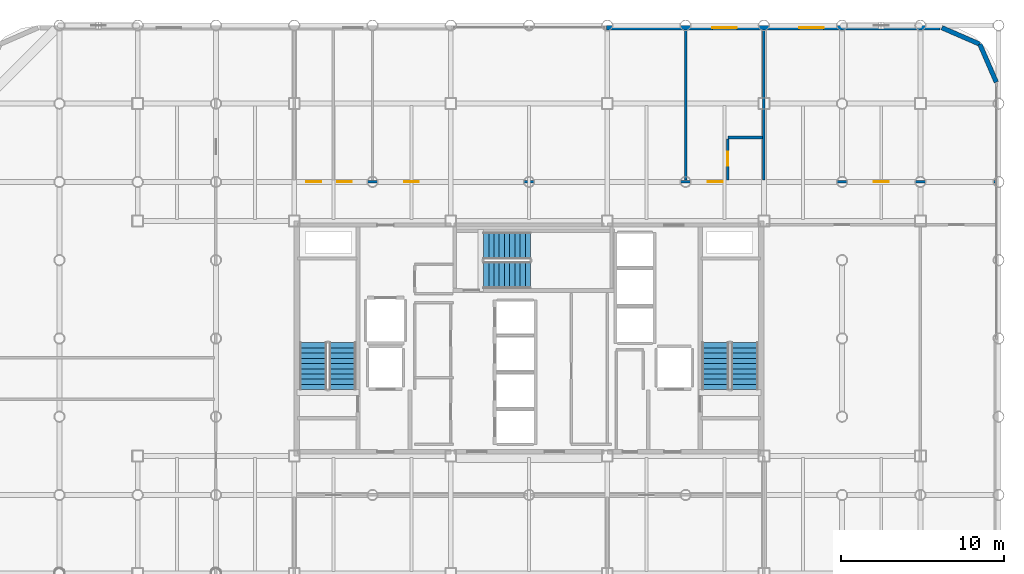
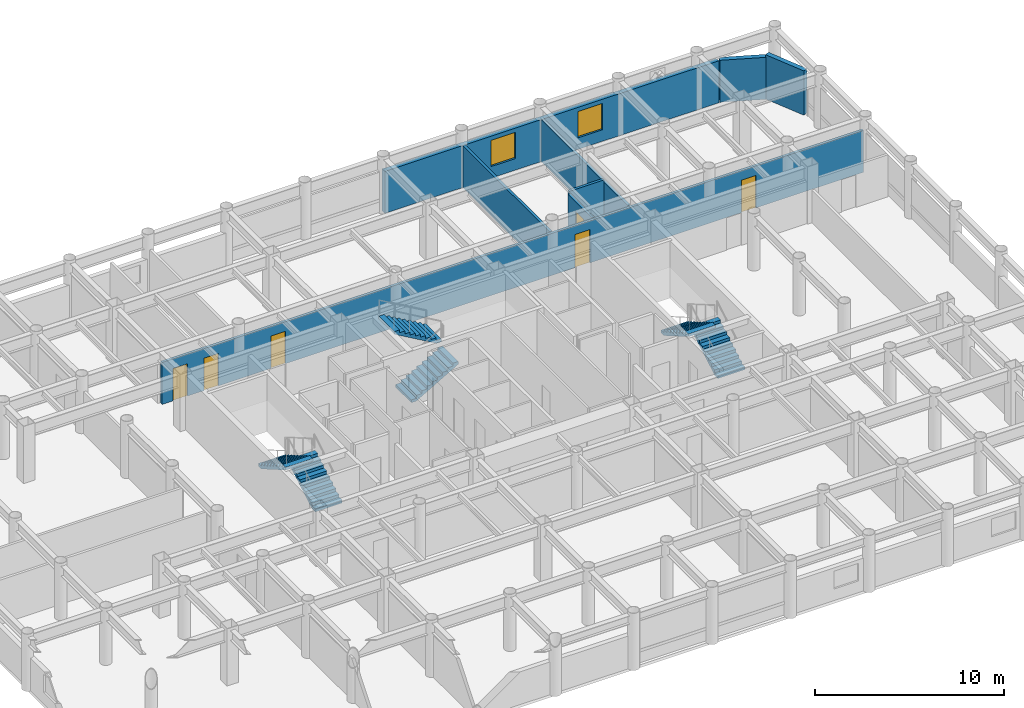
# One storey, part 18 of 19: 8 walls, 6 doors, 6 stair flights, 2 windows, 8 openings, 3 elements without a shape of their own.
"""IFC4 building model written with IfcOpenShell, lengths in metres."""

from ifc_helpers import new_model, si_unit, direction, frame, frame_2d, origin, place, context, subcontext, project, spatial, polyline, rectangle, outline, extrude, material, layer, layer_set, type_object, element, fill, aggregate, save


model = new_model("IFC4")

# Units and contexts
model_context = context("Model", 3, precision=1e-05, world=origin(), true_north=direction((0.0, 1.0)))
body_context = subcontext(model_context, "Body", "Model", "MODEL_VIEW")
ifc_project = project(units=[si_unit("LENGTHUNIT", "METRE"), si_unit("AREAUNIT", "SQUARE_METRE"), si_unit("VOLUMEUNIT", "CUBIC_METRE"), si_unit("PLANEANGLEUNIT", "RADIAN"), si_unit("MASSUNIT", "GRAM", prefix="KILO")], contexts=[model_context])

# Site, building, storey
site_placement = place(None, origin())
site = spatial("IfcSite", under=ifc_project, at=site_placement, CompositionType="ELEMENT")
building_placement = place(site_placement, origin())
building = spatial("IfcBuilding", under=site, at=building_placement, Name="Kallvorn Hotel Tower", CompositionType="ELEMENT")
storey_placement = place(building_placement, frame((0.0, 0.0, 169.199951171875)))
storey = spatial("IfcBuildingStorey", under=building, at=storey_placement, Name="L42", CompositionType="ELEMENT", Elevation=169.199951171875)

# Wall, openings, doors
ifc_material_1 = material(Name="Fire-rated double-layer acoustic gypsum drywall EI 60")
ifc_layer_1 = layer(ifc_material_1, 0.159912109375)
ifc_layer_set_1 = layer_set([ifc_layer_1], Name="WL_DEMISE_160")
wall_type_1 = type_object("IfcWallType", Name="WL_DEMISE_160", PredefinedType="PARTITIONING", material=ifc_layer_set_1)
wall_1_placement = place(storey_placement, frame((-14.320068359375, 9.60009765625, 0.0), z_axis=(0.0, 0.0, 1.0), x_axis=(1.0, 0.0, 0.0)))
wall_1 = element("IfcWall", 1, at=wall_1_placement, inside=storey, type_object=wall_type_1, Name="L42 Suite 4201 Standard King Room Partition", PredefinedType="PARTITIONING", context=body_context, shape_type="SweptSolid", body=[
    extrude(rectangle(XDim=42.949951171875, YDim=0.159912109375, at=frame_2d((21.47509765625, 0.0))), origin(), (0.0, 0.0, 1.0), 2.719970703125),
])
opening_1_placement = place(wall_1_placement, frame((35.469970703125, 0.0, 0.0)))
opening_1 = element("IfcOpeningElement", 2, at=opening_1_placement, cuts=wall_1, Name="Opening SVD1", PredefinedType="OPENING", context=body_context, shape_type="SweptSolid", body=[
    extrude(rectangle(XDim=0.89990234375, YDim=2.10009765625, at=frame_2d((0.449951171875, 1.050048828125))), frame((0.0, 0.094970703125, 0.0), z_axis=(0.0, -1.0, 0.0), x_axis=(1.0, 0.0, 0.0)), (0.0, 0.0, 1.0), 0.18994140625),
])
opening_2_placement = place(wall_1_placement, frame((0.669921875, 0.0, 0.0)))
opening_2 = element("IfcOpeningElement", 3, at=opening_2_placement, cuts=wall_1, Name="Opening SVD1", PredefinedType="OPENING", context=body_context, shape_type="SweptSolid", body=[
    extrude(rectangle(XDim=0.89990234375, YDim=2.10009765625, at=frame_2d((0.449951171875, 1.050048828125))), frame((0.0, 0.094970703125, 0.0), z_axis=(0.0, -1.0, 0.0), x_axis=(1.0, 0.0, 0.0)), (0.0, 0.0, 1.0), 0.18994140625),
])
opening_3_placement = place(wall_1_placement, frame((2.56005859375, 0.0, 0.0)))
opening_3 = element("IfcOpeningElement", 4, at=opening_3_placement, cuts=wall_1, Name="Opening SVD1", PredefinedType="OPENING", context=body_context, shape_type="SweptSolid", body=[
    extrude(rectangle(XDim=0.89990234375, YDim=2.10009765625, at=frame_2d((0.449951171875, 1.050048828125))), frame((0.0, 0.094970703125, 0.0), z_axis=(0.0, -1.0, 0.0), x_axis=(1.0, 0.0, 0.0)), (0.0, 0.0, 1.0), 0.18994140625),
])
opening_4_placement = place(wall_1_placement, frame((6.669921875, 0.0, 0.0)))
opening_4 = element("IfcOpeningElement", 5, at=opening_4_placement, cuts=wall_1, Name="Opening SVD1", PredefinedType="OPENING", context=body_context, shape_type="SweptSolid", body=[
    extrude(rectangle(XDim=0.89990234375, YDim=2.10009765625, at=frame_2d((0.449951171875, 1.050048828125))), frame((0.0, 0.094970703125, 0.0), z_axis=(0.0, -1.0, 0.0), x_axis=(1.0, 0.0, 0.0)), (0.0, 0.0, 1.0), 0.18994140625),
])
opening_5_placement = place(wall_1_placement, frame((25.2900390625, 0.0, 0.0)))
opening_5 = element("IfcOpeningElement", 6, at=opening_5_placement, cuts=wall_1, Name="Opening GD1", PredefinedType="OPENING", context=body_context, shape_type="SweptSolid", body=[
    extrude(rectangle(XDim=0.919921875, YDim=2.14990234375, at=frame_2d((0.4599609375, 1.074951171875))), frame((0.0, 0.094970703125, 0.0), z_axis=(0.0, -1.0, 0.0), x_axis=(1.0, 0.0, 0.0)), (0.0, 0.0, 1.0), 0.18994140625),
])
ifc_material_2 = material(Name="Solid-core walnut veneer fire-rated timber door leaf", Category="wood")
door_type_1 = type_object("IfcDoorType", Name="DR_GUEST_920x2150", OperationType="NOTDEFINED", PredefinedType="DOOR", material=ifc_material_2)
door_1_placement = place(opening_5_placement, origin())
door_1 = element("IfcDoor", 7, at=door_1_placement, inside=storey, type_object=door_type_1, Name="L42 Suite 4201 Standard King Room Door", OperationType="SINGLE_SWING_RIGHT", OverallHeight=2.14990234375, OverallWidth=0.919921875, PredefinedType="DOOR", context=body_context, shape_type="SweptSolid", body=[
    extrude(rectangle(XDim=0.919921875, YDim=2.14990234375, at=frame_2d((0.4599609375, 1.074951171875))), frame((0.0, 0.02490234375, 0.0), z_axis=(0.0, -1.0, 0.0), x_axis=(1.0, 0.0, 0.0)), (0.0, 0.0, 1.0), 0.050048828125),
])
fill(opening_5, door_1)
ifc_material_3 = material(Name="Galvanised painted steel fire-rated door assembly", Category="steel")
door_type_2 = type_object("IfcDoorType", Name="DR_SERV_900x2100", OperationType="NOTDEFINED", PredefinedType="DOOR", material=ifc_material_3)
door_2_placement = place(opening_1_placement, origin())
door_2 = element("IfcDoor", 8, at=door_2_placement, inside=storey, type_object=door_type_2, Name="L42 L42 North-East Monserrate Banquet Hall Door", OperationType="SINGLE_SWING_RIGHT", OverallHeight=2.10009765625, OverallWidth=0.89990234375, PredefinedType="DOOR", context=body_context, shape_type="SweptSolid", body=[
    extrude(rectangle(XDim=0.89990234375, YDim=2.10009765625, at=frame_2d((0.449951171875, 1.050048828125))), frame((0.0, 0.02490234375, 0.0), z_axis=(0.0, -1.0, 0.0), x_axis=(1.0, 0.0, 0.0)), (0.0, 0.0, 1.0), 0.050048828125),
])
fill(opening_1, door_2)
door_3_placement = place(opening_2_placement, origin())
door_3 = element("IfcDoor", 9, at=door_3_placement, inside=storey, type_object=door_type_2, Name="L42 Housekeeping and Linen Room Door", OperationType="SINGLE_SWING_LEFT", OverallHeight=2.10009765625, OverallWidth=0.89990234375, PredefinedType="DOOR", context=body_context, shape_type="SweptSolid", body=[
    extrude(rectangle(XDim=0.89990234375, YDim=2.10009765625, at=frame_2d((0.449951171875, 1.050048828125))), frame((0.0, 0.02490234375, 0.0), z_axis=(0.0, -1.0, 0.0), x_axis=(1.0, 0.0, 0.0)), (0.0, 0.0, 1.0), 0.050048828125),
])
fill(opening_2, door_3)
door_4_placement = place(opening_3_placement, origin())
door_4 = element("IfcDoor", 10, at=door_4_placement, inside=storey, type_object=door_type_2, Name="L42 Guest Tea and Refreshment Bar Door", OperationType="SINGLE_SWING_LEFT", OverallHeight=2.10009765625, OverallWidth=0.89990234375, PredefinedType="DOOR", context=body_context, shape_type="SweptSolid", body=[
    extrude(rectangle(XDim=0.89990234375, YDim=2.10009765625, at=frame_2d((0.449951171875, 1.050048828125))), frame((0.0, 0.02490234375, 0.0), z_axis=(0.0, -1.0, 0.0), x_axis=(1.0, 0.0, 0.0)), (0.0, 0.0, 1.0), 0.050048828125),
])
fill(opening_3, door_4)
door_5_placement = place(opening_4_placement, origin())
door_5 = element("IfcDoor", 11, at=door_5_placement, inside=storey, type_object=door_type_2, Name="L42 L42 Altitude Wellness Fitness Gymnasium 2 Door", OperationType="SINGLE_SWING_RIGHT", OverallHeight=2.10009765625, OverallWidth=0.89990234375, PredefinedType="DOOR", context=body_context, shape_type="SweptSolid", body=[
    extrude(rectangle(XDim=0.89990234375, YDim=2.10009765625, at=frame_2d((0.449951171875, 1.050048828125))), frame((0.0, 0.02490234375, 0.0), z_axis=(0.0, -1.0, 0.0), x_axis=(1.0, 0.0, 0.0)), (0.0, 0.0, 1.0), 0.050048828125),
])
fill(opening_4, door_5)

# Walls
wall_2_placement = place(storey_placement, frame((12.18994140625, 12.320068359375, 0.0), z_axis=(0.0, 0.0, 1.0), x_axis=(1.0, 0.0, 0.0)))
element("IfcWall", 12, at=wall_2_placement, inside=storey, type_object=wall_type_1, Name="L42 Suite 4201 Standard King Room Partition", PredefinedType="PARTITIONING", context=body_context, shape_type="SweptSolid", body=[
    extrude(rectangle(XDim=2.130126953125, YDim=0.159912109375, at=frame_2d((1.06494140625, 0.0))), origin(), (0.0, 0.0, 1.0), 2.8701171875),
])
wall_3_placement = place(storey_placement, frame((9.60009765625, 9.719970703125, 0.0), z_axis=(0.0, 0.0, 1.0), x_axis=(0.0, 1.0, 0.0)))
element("IfcWall", 13, at=wall_3_placement, inside=storey, type_object=wall_type_1, Name="L42 Suite 4201 Standard King Room Partition", PredefinedType="PARTITIONING", context=body_context, shape_type="SweptSolid", body=[
    extrude(rectangle(XDim=9.18994140625, YDim=0.159912109375, at=frame_2d((4.594970703125, 0.0))), origin(), (0.0, 0.0, 1.0), 2.719970703125),
])

# Wall, opening, door
wall_4_placement = place(storey_placement, frame((12.18994140625, 9.719970703125, 0.0), z_axis=(0.0, 0.0, 1.0), x_axis=(0.0, 1.0, 0.0)))
wall_4 = element("IfcWall", 14, at=wall_4_placement, inside=storey, type_object=wall_type_1, Name="L42 Suite 4201 Standard King Room Partition", PredefinedType="PARTITIONING", context=body_context, shape_type="SweptSolid", body=[
    extrude(rectangle(XDim=2.51513671875, YDim=0.159912109375, at=frame_2d((1.257568359375, 0.0))), origin(), (0.0, 0.0, 1.0), 2.719970703125),
])
opening_6_placement = place(wall_4_placement, frame((0.8701171875, 0.0, 0.0)))
opening_6 = element("IfcOpeningElement", 15, at=opening_6_placement, cuts=wall_4, Name="Opening BD-I", PredefinedType="OPENING", context=body_context, shape_type="SweptSolid", body=[
    extrude(rectangle(XDim=0.860107421875, YDim=2.10009765625, at=frame_2d((0.43017578125, 1.050048828125))), frame((0.0, 0.094970703125, 0.0), z_axis=(0.0, -1.0, 0.0), x_axis=(1.0, 0.0, 0.0)), (0.0, 0.0, 1.0), 0.18994140625),
])
ifc_material_4 = material(Name="Solid-core walnut veneer fire-rated timber door leaf", Category="wood")
door_type_3 = type_object("IfcDoorType", Name="DR_BATH_860x2100", OperationType="NOTDEFINED", PredefinedType="DOOR", material=ifc_material_4)
door_6_placement = place(opening_6_placement, origin())
door_6 = element("IfcDoor", 16, at=door_6_placement, inside=storey, type_object=door_type_3, Name="L42 Suite 4201 En-Suite Bathroom Door", OperationType="SINGLE_SWING_RIGHT", OverallHeight=2.10009765625, OverallWidth=0.860107421875, PredefinedType="DOOR", context=body_context, shape_type="SweptSolid", body=[
    extrude(rectangle(XDim=0.860107421875, YDim=2.10009765625, at=frame_2d((0.43017578125, 1.050048828125))), frame((0.0, 0.02490234375, 0.0), z_axis=(0.0, -1.0, 0.0), x_axis=(1.0, 0.0, 0.0)), (0.0, 0.0, 1.0), 0.050048828125),
])
fill(opening_6, door_6)

# Walls
wall_5_placement = place(storey_placement, frame((14.39990234375, 9.719970703125, 0.0), z_axis=(0.0, 0.0, 1.0), x_axis=(0.0, 1.0, 0.0)))
element("IfcWall", 17, at=wall_5_placement, inside=storey, type_object=wall_type_1, Name="L42 Suite 4201 Standard King Room Partition", PredefinedType="PARTITIONING", context=body_context, shape_type="SweptSolid", body=[
    extrude(rectangle(XDim=9.18994140625, YDim=0.159912109375, at=frame_2d((4.594970703125, 0.0))), origin(), (0.0, 0.0, 1.0), 2.719970703125),
])
ifc_material_5 = material(Name="Precast basalt-clad insulated concrete wall C40/50", Category="masonry")
ifc_layer_2 = layer(ifc_material_5, 0.280029296875)
ifc_layer_set_2 = layer_set([ifc_layer_2], Name="WL_EXT_LOGGIA_280")
wall_type_2 = type_object("IfcWallType", Name="WL_EXT_LOGGIA_280", PredefinedType="SOLIDWALL", material=ifc_layer_set_2)
wall_6_placement = place(storey_placement, frame((28.657958984375, 15.720703125, 0.0), z_axis=(0.0, 0.0, 1.0), x_axis=(-0.398792985289, 0.917040977756, 0.0)))
element("IfcWall", 18, at=wall_6_placement, inside=storey, type_object=wall_type_2, Name="L42 Rounded Corner Exterior Wall NE1", PredefinedType="SOLIDWALL", context=body_context, shape_type="SweptSolid", body=[
    extrude(rectangle(XDim=2.536376953125, YDim=0.280029296875, at=frame_2d((1.26806640625, 0.0))), origin(), (0.0, 0.0, 1.0), 2.8701171875),
])
wall_7_placement = place(storey_placement, frame((27.646484375, 18.046630859375, 0.0), z_axis=(0.0, 0.0, 1.0), x_axis=(-0.917060872934, 0.398747232384, 0.0)))
element("IfcWall", 19, at=wall_7_placement, inside=storey, type_object=wall_type_2, Name="L42 Rounded Corner Exterior Wall NE2", PredefinedType="SOLIDWALL", context=body_context, shape_type="SweptSolid", body=[
    extrude(rectangle(XDim=2.5361328125, YDim=0.280029296875, at=frame_2d((1.26806640625, 0.0))), origin(), (0.0, 0.0, 1.0), 2.719970703125),
])

# Wall, openings, windows
wall_8_placement = place(storey_placement, frame((4.75, 19.06005859375, 0.0), z_axis=(0.0, 0.0, 1.0), x_axis=(1.0, 0.0, 0.0)))
wall_8 = element("IfcWall", 20, at=wall_8_placement, inside=storey, type_object=wall_type_2, Name="L42 Exterior Envelope Wall EW-L42-NE", PredefinedType="SOLIDWALL", context=body_context, shape_type="SweptSolid", body=[
    extrude(rectangle(XDim=20.449951171875, YDim=0.280029296875, at=frame_2d((10.22509765625, 0.0))), origin(), (0.0, 0.0, 1.0), 2.719970703125),
])
opening_7_placement = place(wall_8_placement, frame((11.81689453125, 0.0, 0.75)))
opening_7 = element("IfcOpeningElement", 21, at=opening_7_placement, cuts=wall_8, Name="Opening W05", PredefinedType="OPENING", context=body_context, shape_type="SweptSolid", body=[
    extrude(rectangle(XDim=1.5, YDim=1.699951171875, at=frame_2d((0.75, 0.85009765625))), frame((0.0, 0.155029296875, 0.0), z_axis=(0.0, -1.0, 0.0), x_axis=(1.0, 0.0, 0.0)), (0.0, 0.0, 1.0), 0.31005859375),
])
opening_8_placement = place(wall_8_placement, frame((6.5, 0.0, 0.75)))
opening_8 = element("IfcOpeningElement", 22, at=opening_8_placement, cuts=wall_8, Name="Opening W05", PredefinedType="OPENING", context=body_context, shape_type="SweptSolid", body=[
    extrude(rectangle(XDim=1.5, YDim=1.699951171875, at=frame_2d((0.75, 0.85009765625))), frame((0.0, 0.155029296875, 0.0), z_axis=(0.0, -1.0, 0.0), x_axis=(1.0, 0.0, 0.0)), (0.0, 0.0, 1.0), 0.31005859375),
])
ifc_material_6 = material(Name="Double-glazed low-e solar-control dark glass", Category="glass")
window_type = type_object("IfcWindowType", Name="WN_HTL_1500x1700", PartitioningType="SINGLE_PANEL", PredefinedType="WINDOW", material=ifc_material_6)
window_1_placement = place(opening_7_placement, origin())
window_1 = element("IfcWindow", 23, at=window_1_placement, inside=storey, type_object=window_type, Name="L42 Guestroom Exterior Window 04", OverallHeight=1.699951171875, OverallWidth=1.5, PartitioningType="SINGLE_PANEL", PredefinedType="WINDOW", context=body_context, shape_type="SweptSolid", body=[
    extrude(rectangle(XDim=1.5, YDim=1.699951171875, at=frame_2d((0.75, 0.85009765625))), frame((0.0, 0.030029296875, 0.0), z_axis=(0.0, -1.0, 0.0), x_axis=(1.0, 0.0, 0.0)), (0.0, 0.0, 1.0), 0.06005859375),
])
fill(opening_7, window_1)
window_2_placement = place(opening_8_placement, origin())
window_2 = element("IfcWindow", 24, at=window_2_placement, inside=storey, type_object=window_type, Name="L42 Guestroom Exterior Window 08", OverallHeight=1.699951171875, OverallWidth=1.5, PartitioningType="SINGLE_PANEL", PredefinedType="WINDOW", context=body_context, shape_type="SweptSolid", body=[
    extrude(rectangle(XDim=1.5, YDim=1.699951171875, at=frame_2d((0.75, 0.85009765625))), frame((0.0, 0.030029296875, 0.0), z_axis=(0.0, -1.0, 0.0), x_axis=(1.0, 0.0, 0.0)), (0.0, 0.0, 1.0), 0.06005859375),
])
fill(opening_8, window_2)

# Stair, stair flights
ifc_material_7 = material(Name="Precast concrete C40/50", Category="concrete")
stair_type = type_object("IfcStairType", Name="STR_CORE_DOGLEG", PredefinedType="HALF_TURN_STAIR", material=ifc_material_7)
stair_1_placement = place(storey_placement, origin())
stair_1 = element("IfcStair", 25, at=stair_1_placement, inside=storey, type_object=stair_type, Name="L42 Exit stair ST1", PredefinedType="HALF_TURN_STAIR")
ifc_material_8 = material(Name="Precast concrete C40/50", Category="concrete")
stair_flight_type = type_object("IfcStairFlightType", Name="FLT_CORE_1660", PredefinedType="STRAIGHT", material=ifc_material_8)
stair_flight_1_placement = place(storey_placement, frame((-11.429931640625, -3.139892578125, 0.0), z_axis=(0.0, 0.0, 1.0), x_axis=(0.0, 1.0, 0.0)))
stair_flight_1 = element("IfcStairFlight", 26, at=stair_flight_1_placement, type_object=stair_flight_type, Name="ST1 flight 1", NumberOfRisers=10, NumberOfTreads=9, PredefinedType="STRAIGHT", RiserHeight=0.185, TreadLength=0.32, context=body_context, shape_type="SweptSolid", body=[
    extrude(outline(polyline([(0.0, 0.0), (0.0, 0.18505859375), (0.320068359375, 0.18505859375), (0.320068359375, 0.3701171875), (0.639892578125, 0.3701171875), (0.639892578125, 0.554931640625), (0.9599609375, 0.554931640625), (0.9599609375, 0.739990234375), (1.280029296875, 0.739990234375), (1.280029296875, 0.925048828125), (1.60009765625, 0.925048828125), (1.60009765625, 1.110107421875), (1.919921875, 1.110107421875), (1.919921875, 1.294921875), (2.239990234375, 1.294921875), (2.239990234375, 1.47998046875), (2.56005859375, 1.47998046875), (2.56005859375, 1.6650390625), (2.8798828125, 1.6650390625), (2.8798828125, 1.85009765625), (2.8798828125, 1.491943359375), (0.299560546875, 0.0), (0.0, 0.0)])), frame((0.0, 0.830078125, 0.0), z_axis=(0.0, -1.0, 0.0), x_axis=(1.0, 0.0, 0.0)), (0.0, 0.0, 1.0), 1.659912109375),
])
stair_flight_2_placement = place(storey_placement, frame((-13.22998046875, -0.260009765625, 1.85009765625), z_axis=(0.0, 0.0, 1.0), x_axis=(0.0, -1.0, 0.0)))
stair_flight_2 = element("IfcStairFlight", 27, at=stair_flight_2_placement, type_object=stair_flight_type, Name="ST1 flight 2", NumberOfRisers=10, NumberOfTreads=9, PredefinedType="STRAIGHT", RiserHeight=0.185, TreadLength=0.32, context=body_context, shape_type="SweptSolid", body=[
    extrude(outline(polyline([(0.0, 0.0), (0.0, 0.18505859375), (0.320068359375, 0.18505859375), (0.320068359375, 0.3701171875), (0.639892578125, 0.3701171875), (0.639892578125, 0.554931640625), (0.9599609375, 0.554931640625), (0.9599609375, 0.739990234375), (1.280029296875, 0.739990234375), (1.280029296875, 0.925048828125), (1.60009765625, 0.925048828125), (1.60009765625, 1.110107421875), (1.919921875, 1.110107421875), (1.919921875, 1.294921875), (2.239990234375, 1.294921875), (2.239990234375, 1.47998046875), (2.56005859375, 1.47998046875), (2.56005859375, 1.6650390625), (2.8798828125, 1.6650390625), (2.8798828125, 1.85009765625), (2.8798828125, 1.491943359375), (0.299560546875, 0.0), (0.0, 0.0)])), frame((0.0, 0.830078125, 0.0), z_axis=(0.0, -1.0, 0.0), x_axis=(1.0, 0.0, 0.0)), (0.0, 0.0, 1.0), 1.659912109375),
])
aggregate(stair_1, [stair_flight_1, stair_flight_2])

stair_2_placement = place(storey_placement, origin())
stair_2 = element("IfcStair", 28, at=stair_2_placement, inside=storey, type_object=stair_type, Name="L42 Exit stair ST2", PredefinedType="HALF_TURN_STAIR")
stair_flight_3_placement = place(storey_placement, frame((13.22998046875, -3.139892578125, 0.0), z_axis=(0.0, 0.0, 1.0), x_axis=(0.0, 1.0, 0.0)))
stair_flight_3 = element("IfcStairFlight", 29, at=stair_flight_3_placement, type_object=stair_flight_type, Name="ST2 flight 1", NumberOfRisers=10, NumberOfTreads=9, PredefinedType="STRAIGHT", RiserHeight=0.185, TreadLength=0.32, context=body_context, shape_type="SweptSolid", body=[
    extrude(outline(polyline([(0.0, 0.0), (0.0, 0.18505859375), (0.320068359375, 0.18505859375), (0.320068359375, 0.3701171875), (0.639892578125, 0.3701171875), (0.639892578125, 0.554931640625), (0.9599609375, 0.554931640625), (0.9599609375, 0.739990234375), (1.280029296875, 0.739990234375), (1.280029296875, 0.925048828125), (1.60009765625, 0.925048828125), (1.60009765625, 1.110107421875), (1.919921875, 1.110107421875), (1.919921875, 1.294921875), (2.239990234375, 1.294921875), (2.239990234375, 1.47998046875), (2.56005859375, 1.47998046875), (2.56005859375, 1.6650390625), (2.8798828125, 1.6650390625), (2.8798828125, 1.85009765625), (2.8798828125, 1.491943359375), (0.299560546875, 0.0), (0.0, 0.0)])), frame((0.0, 0.830078125, 0.0), z_axis=(0.0, -1.0, 0.0), x_axis=(1.0, 0.0, 0.0)), (0.0, 0.0, 1.0), 1.659912109375),
])
stair_flight_4_placement = place(storey_placement, frame((11.429931640625, -0.260009765625, 1.85009765625), z_axis=(0.0, 0.0, 1.0), x_axis=(0.0, -1.0, 0.0)))
stair_flight_4 = element("IfcStairFlight", 30, at=stair_flight_4_placement, type_object=stair_flight_type, Name="ST2 flight 2", NumberOfRisers=10, NumberOfTreads=9, PredefinedType="STRAIGHT", RiserHeight=0.185, TreadLength=0.32, context=body_context, shape_type="SweptSolid", body=[
    extrude(outline(polyline([(0.0, 0.0), (0.0, 0.18505859375), (0.320068359375, 0.18505859375), (0.320068359375, 0.3701171875), (0.639892578125, 0.3701171875), (0.639892578125, 0.554931640625), (0.9599609375, 0.554931640625), (0.9599609375, 0.739990234375), (1.280029296875, 0.739990234375), (1.280029296875, 0.925048828125), (1.60009765625, 0.925048828125), (1.60009765625, 1.110107421875), (1.919921875, 1.110107421875), (1.919921875, 1.294921875), (2.239990234375, 1.294921875), (2.239990234375, 1.47998046875), (2.56005859375, 1.47998046875), (2.56005859375, 1.6650390625), (2.8798828125, 1.6650390625), (2.8798828125, 1.85009765625), (2.8798828125, 1.491943359375), (0.299560546875, 0.0), (0.0, 0.0)])), frame((0.0, 0.830078125, 0.0), z_axis=(0.0, -1.0, 0.0), x_axis=(1.0, 0.0, 0.0)), (0.0, 0.0, 1.0), 1.659912109375),
])
aggregate(stair_2, [stair_flight_3, stair_flight_4])

stair_3_placement = place(storey_placement, origin())
stair_3 = element("IfcStair", 31, at=stair_3_placement, inside=storey, type_object=stair_type, Name="L42 Exit stair ST3", PredefinedType="HALF_TURN_STAIR")
stair_flight_5_placement = place(storey_placement, frame((-2.7900390625, 3.8798828125, 0.0), z_axis=(0.0, 0.0, 1.0), x_axis=(1.0, 0.0, 0.0)))
stair_flight_5 = element("IfcStairFlight", 32, at=stair_flight_5_placement, type_object=stair_flight_type, Name="ST3 flight 1", NumberOfRisers=10, NumberOfTreads=9, PredefinedType="STRAIGHT", RiserHeight=0.185, TreadLength=0.32, context=body_context, shape_type="SweptSolid", body=[
    extrude(outline(polyline([(0.0, 0.0), (0.0, 0.18505859375), (0.320068359375, 0.18505859375), (0.320068359375, 0.3701171875), (0.639892578125, 0.3701171875), (0.639892578125, 0.554931640625), (0.9599609375, 0.554931640625), (0.9599609375, 0.739990234375), (1.280029296875, 0.739990234375), (1.280029296875, 0.925048828125), (1.60009765625, 0.925048828125), (1.60009765625, 1.110107421875), (1.919921875, 1.110107421875), (1.919921875, 1.294921875), (2.239990234375, 1.294921875), (2.239990234375, 1.47998046875), (2.56005859375, 1.47998046875), (2.56005859375, 1.6650390625), (2.8798828125, 1.6650390625), (2.8798828125, 1.85009765625), (2.8798828125, 1.491943359375), (0.299560546875, 0.0), (0.0, 0.0)])), frame((0.0, 0.830078125, 0.0), z_axis=(0.0, -1.0, 0.0), x_axis=(1.0, 0.0, 0.0)), (0.0, 0.0, 1.0), 1.659912109375),
])
stair_flight_6_placement = place(storey_placement, frame((0.090087890625, 5.679931640625, 1.85009765625), z_axis=(0.0, 0.0, 1.0), x_axis=(-1.0, 0.0, 0.0)))
stair_flight_6 = element("IfcStairFlight", 33, at=stair_flight_6_placement, type_object=stair_flight_type, Name="ST3 flight 2", NumberOfRisers=10, NumberOfTreads=9, PredefinedType="STRAIGHT", RiserHeight=0.185, TreadLength=0.32, context=body_context, shape_type="SweptSolid", body=[
    extrude(outline(polyline([(0.0, 0.0), (0.0, 0.18505859375), (0.320068359375, 0.18505859375), (0.320068359375, 0.3701171875), (0.639892578125, 0.3701171875), (0.639892578125, 0.554931640625), (0.9599609375, 0.554931640625), (0.9599609375, 0.739990234375), (1.280029296875, 0.739990234375), (1.280029296875, 0.925048828125), (1.60009765625, 0.925048828125), (1.60009765625, 1.110107421875), (1.919921875, 1.110107421875), (1.919921875, 1.294921875), (2.239990234375, 1.294921875), (2.239990234375, 1.47998046875), (2.56005859375, 1.47998046875), (2.56005859375, 1.6650390625), (2.8798828125, 1.6650390625), (2.8798828125, 1.85009765625), (2.8798828125, 1.491943359375), (0.299560546875, 0.0), (0.0, 0.0)])), frame((0.0, 0.830078125, 0.0), z_axis=(0.0, -1.0, 0.0), x_axis=(1.0, 0.0, 0.0)), (0.0, 0.0, 1.0), 1.659912109375),
])
aggregate(stair_3, [stair_flight_5, stair_flight_6])

save(model, "model.ifc")
